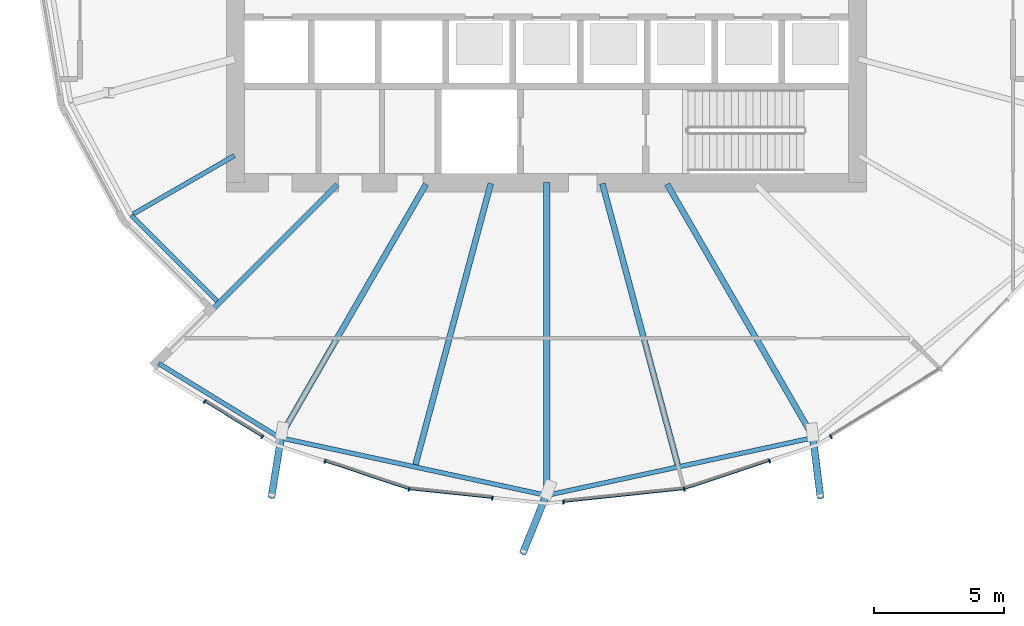
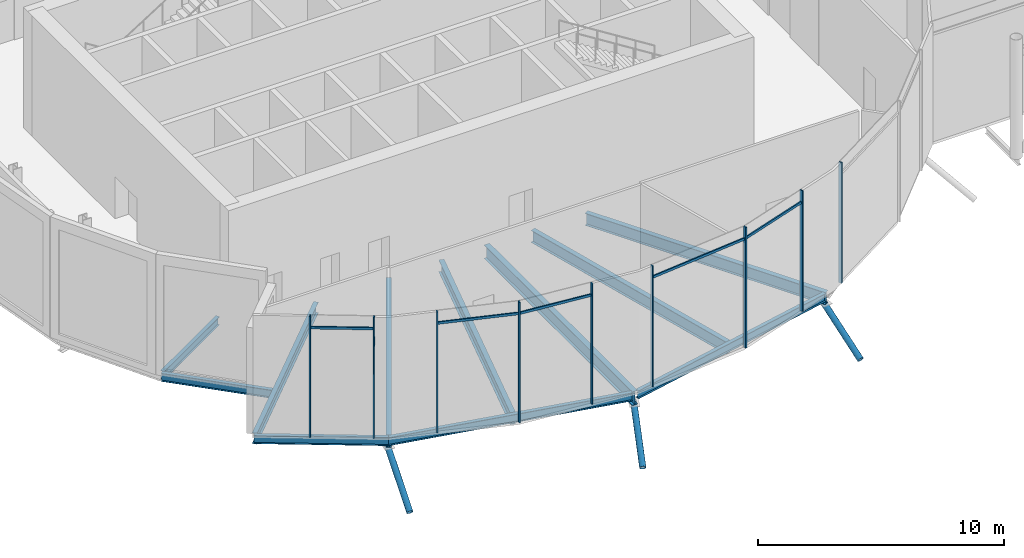
# One storey, part 3 of 38: 17 members, 11 beams, 1 element without a shape of its own.
"""IFC4 building model written with IfcOpenShell, lengths in metres."""

from ifc_helpers import new_model, si_unit, direction, frame, origin, origin_2d, place, context, subcontext, project, spatial, rectangle, hollow_circle, i_section, extrude, clip, halfspace, material, material_profile, profile_set, type_object, element, aggregate, save


model = new_model("IFC4")

# Units and contexts
model_context = context("Model", 3, precision=1e-05, world=origin(), true_north=direction((0.0, 1.0)))
body_context = subcontext(model_context, "Body", "Model", "MODEL_VIEW")
ifc_project = project(units=[si_unit("LENGTHUNIT", "METRE"), si_unit("AREAUNIT", "SQUARE_METRE"), si_unit("VOLUMEUNIT", "CUBIC_METRE"), si_unit("PLANEANGLEUNIT", "RADIAN"), si_unit("MASSUNIT", "GRAM", prefix="KILO")], contexts=[model_context])

# Site, building, storey
site_placement = place(None, origin())
site = spatial("IfcSite", under=ifc_project, at=site_placement, CompositionType="ELEMENT")
building_placement = place(site_placement, origin())
building = spatial("IfcBuilding", under=site, at=building_placement, Name="Rimbun Link Towers", CompositionType="ELEMENT")
storey_placement = place(building_placement, frame((0.0, 0.0, 133.199951171875)))
storey = spatial("IfcBuildingStorey", under=building, at=storey_placement, Name="L32", CompositionType="ELEMENT", Elevation=133.199951171875)

# Curtain wall, members
ifc_material_1 = material(Name="Aluminium 6063-T6 and low-iron glass", Category="aluminium")
curtain_wall_type = type_object("IfcCurtainWallType", Name="CW5 full height lobby wall", PredefinedType="NOTDEFINED", material=ifc_material_1)
curtain_wall_placement = place(storey_placement, origin())
curtain_wall = element("IfcCurtainWall", 1, at=curtain_wall_placement, inside=storey, type_object=curtain_wall_type, Name="CW5 L32 T1", PredefinedType="NOTDEFINED")
ifc_material_2 = material(Name="Aluminium 6063-T6", Category="aluminium")
ifc_material_profile_1 = material_profile(ifc_material_2, rectangle(XDim=0.14990234375, YDim=0.06005859375, at=origin_2d()), Name="MULLION 60X150")
ifc_profile_set_1 = profile_set([ifc_material_profile_1], Name="Aluminium 6063-T6")
member_type_1 = type_object("IfcMemberType", Name="CW5 mullion 60X150", PredefinedType="MULLION", material=ifc_profile_set_1)
member_1_placement = place(storey_placement, frame((-42.72607421875, -17.807373046875, 0.0), z_axis=(0.0, 0.0, 1.0), x_axis=(-0.523225378089, -0.852194346217, 0.0)))
member_1 = element("IfcMember", 2, at=member_1_placement, type_object=member_type_1, Name="CW5 mullion", PredefinedType="MULLION", context=body_context, shape_type="SweptSolid", body=[
    extrude(rectangle(XDim=0.14990234375, YDim=0.06005859375, at=origin_2d()), origin(), (0.0, 0.0, 1.0), 6.0),
])
member_2_placement = place(storey_placement, frame((-44.940673828125, -16.44775390625, 0.0), z_axis=(0.0, 0.0, 1.0), x_axis=(-0.523225378089, -0.852194346217, 0.0)))
member_2 = element("IfcMember", 3, at=member_2_placement, type_object=member_type_1, Name="CW5 mullion", PredefinedType="MULLION", context=body_context, shape_type="SweptSolid", body=[
    extrude(rectangle(XDim=0.14990234375, YDim=0.06005859375, at=origin_2d()), origin(), (0.0, 0.0, 1.0), 6.0),
])
member_3_placement = place(storey_placement, frame((-37.059814453125, -19.831298828125, 0.0), z_axis=(0.0, 0.0, 1.0), x_axis=(-0.210874693144, -0.977513101596, 0.0)))
member_3 = element("IfcMember", 4, at=member_3_placement, type_object=member_type_1, Name="CW5 mullion", PredefinedType="MULLION", context=body_context, shape_type="SweptSolid", body=[
    extrude(rectangle(XDim=0.14990234375, YDim=0.06005859375, at=origin_2d()), origin(), (0.0, 0.0, 1.0), 6.0),
])
member_4_placement = place(storey_placement, frame((-40.300537109375, -18.7578125, 0.0), z_axis=(0.0, 0.0, 1.0), x_axis=(-0.314567961741, -0.949234953763, 0.0)))
member_4 = element("IfcMember", 5, at=member_4_placement, type_object=member_type_1, Name="CW5 mullion", PredefinedType="MULLION", context=body_context, shape_type="SweptSolid", body=[
    extrude(rectangle(XDim=0.14990234375, YDim=0.06005859375, at=origin_2d()), origin(), (0.0, 0.0, 1.0), 6.0),
])
member_5_placement = place(storey_placement, frame((-33.84619140625, -20.170166015625, 0.0), z_axis=(0.0, 0.0, 1.0), x_axis=(-0.104745411125, -0.994499069305, 0.0)))
member_5 = element("IfcMember", 6, at=member_5_placement, type_object=member_type_1, Name="CW5 mullion", PredefinedType="MULLION", context=body_context, shape_type="SweptSolid", body=[
    extrude(rectangle(XDim=0.14990234375, YDim=0.06005859375, at=origin_2d()), origin(), (0.0, 0.0, 1.0), 6.0),
])
member_6_placement = place(storey_placement, frame((-26.440185546875, -19.831298828125, 0.0), z_axis=(0.0, 0.0, 1.0), x_axis=(0.210874693144, -0.977513101596, 0.0)))
member_6 = element("IfcMember", 7, at=member_6_placement, type_object=member_type_1, Name="CW5 mullion", PredefinedType="MULLION", context=body_context, shape_type="SweptSolid", body=[
    extrude(rectangle(XDim=0.14990234375, YDim=0.06005859375, at=origin_2d()), origin(), (0.0, 0.0, 1.0), 6.0),
])
member_7_placement = place(storey_placement, frame((-31.095703125, -20.322021484375, 0.0), z_axis=(0.0, 0.0, 1.0), x_axis=(0.104745411125, -0.994499069305, 0.0)))
member_7 = element("IfcMember", 8, at=member_7_placement, type_object=member_type_1, Name="CW5 mullion", PredefinedType="MULLION", context=body_context, shape_type="SweptSolid", body=[
    extrude(rectangle(XDim=0.14990234375, YDim=0.06005859375, at=origin_2d()), origin(), (0.0, 0.0, 1.0), 6.0),
])
member_8_placement = place(storey_placement, frame((-23.15185546875, -18.7421875, 0.0), z_axis=(0.0, 0.0, 1.0), x_axis=(0.314567961741, -0.949234953763, 0.0)))
member_8 = element("IfcMember", 9, at=member_8_placement, type_object=member_type_1, Name="CW5 mullion", PredefinedType="MULLION", context=body_context, shape_type="SweptSolid", body=[
    extrude(rectangle(XDim=0.14990234375, YDim=0.06005859375, at=origin_2d()), origin(), (0.0, 0.0, 1.0), 6.0),
])
member_9_placement = place(storey_placement, frame((-20.77392578125, -17.807373046875, 0.0), z_axis=(0.0, 0.0, 1.0), x_axis=(0.523225378089, -0.852194346217, 0.0)))
member_9 = element("IfcMember", 10, at=member_9_placement, type_object=member_type_1, Name="CW5 mullion", PredefinedType="MULLION", context=body_context, shape_type="SweptSolid", body=[
    extrude(rectangle(XDim=0.14990234375, YDim=0.06005859375, at=origin_2d()), origin(), (0.0, 0.0, 1.0), 6.0),
])
ifc_material_3 = material(Name="Aluminium 6063-T6", Category="aluminium")
ifc_material_profile_2 = material_profile(ifc_material_3, rectangle(XDim=0.06005859375, YDim=0.1201171875, at=origin_2d()), Name="TRANSOM 60X120")
ifc_profile_set_2 = profile_set([ifc_material_profile_2], Name="Aluminium 6063-T6")
member_type_2 = type_object("IfcMemberType", Name="CW5 transom 60X120", PredefinedType="USERDEFINED", material=ifc_profile_set_2)
member_10_placement = place(storey_placement, frame((-42.744873046875, -17.78076171875, 5.400146484375), z_axis=(-0.852196050018, 0.523222603041, 0.0), x_axis=(-0.523222603041, -0.852196050018, 0.0)))
member_10 = element("IfcMember", 11, at=member_10_placement, type_object=member_type_2, Name="CW5 transom", ObjectType="TRANSOM", PredefinedType="USERDEFINED", context=body_context, shape_type="SweptSolid", body=[
    extrude(rectangle(XDim=0.06005859375, YDim=0.1201171875, at=origin_2d()), origin(), (0.0, 0.0, 1.0), 2.538818359375),
])
member_11_placement = place(storey_placement, frame((-37.092041015625, -19.807373046875, 5.400146484375), z_axis=(-0.949236393582, 0.314563616937, 0.0), x_axis=(-0.314563616937, -0.949236393582, 0.0)))
member_11 = element("IfcMember", 12, at=member_11_placement, type_object=member_type_2, Name="CW5 transom", ObjectType="TRANSOM", PredefinedType="USERDEFINED", context=body_context, shape_type="SweptSolid", body=[
    extrude(rectangle(XDim=0.06005859375, YDim=0.1201171875, at=origin_2d()), origin(), (0.0, 0.0, 1.0), 3.345947265625),
])
member_12_placement = place(storey_placement, frame((-33.874755859375, -20.154052734375, 5.400146484375), z_axis=(-0.994500800185, 0.104728976086, 0.0), x_axis=(-0.104728976086, -0.994500800185, 0.0)))
member_12 = element("IfcMember", 13, at=member_12_placement, type_object=member_type_2, Name="CW5 transom", ObjectType="TRANSOM", PredefinedType="USERDEFINED", context=body_context, shape_type="SweptSolid", body=[
    extrude(rectangle(XDim=0.06005859375, YDim=0.1201171875, at=origin_2d()), origin(), (0.0, 0.0, 1.0), 3.163330078125),
])
member_13_placement = place(storey_placement, frame((-26.479248046875, -19.82275390625, 5.400146484375), z_axis=(-0.994495008728, -0.104783956858, 0.0), x_axis=(0.104783956858, -0.994495008728, 0.0)))
member_13 = element("IfcMember", 14, at=member_13_placement, type_object=member_type_2, Name="CW5 transom", ObjectType="TRANSOM", PredefinedType="USERDEFINED", context=body_context, shape_type="SweptSolid", body=[
    extrude(rectangle(XDim=0.06005859375, YDim=0.1201171875, at=origin_2d()), origin(), (0.0, 0.0, 1.0), 4.61328125),
])
member_14_placement = place(storey_placement, frame((-23.1845703125, -18.7392578125, 5.400146484375), z_axis=(-0.949242594948, -0.314544902893, 0.0), x_axis=(0.314544902893, -0.949242594948, 0.0)))
member_14 = element("IfcMember", 15, at=member_14_placement, type_object=member_type_2, Name="CW5 transom", ObjectType="TRANSOM", PredefinedType="USERDEFINED", context=body_context, shape_type="SweptSolid", body=[
    extrude(rectangle(XDim=0.06005859375, YDim=0.1201171875, at=origin_2d()), origin(), (0.0, 0.0, 1.0), 3.395751953125),
])
aggregate(curtain_wall, [member_1, member_2, member_3, member_4, member_5, member_6, member_7, member_8, member_9, member_10, member_11, member_12, member_13, member_14])

# Members
ifc_material_4 = material(Name="Steel S355J2H", Category="steel")
ifc_material_profile_3 = material_profile(ifc_material_4, hollow_circle(Radius=0.136474609375, WallThickness=0.012451171875, at=origin_2d()), Name="CHS 273x12.5")
ifc_profile_set_3 = profile_set([ifc_material_profile_3], Name="Steel S355J2H")
member_type_3 = type_object("IfcMemberType", Name="Floor edge link CHS 273x12.5", PredefinedType="BRACE", material=ifc_profile_set_3)
member_15_placement = place(storey_placement, frame((-41.977783203125, -17.715087890625, -0.8974609375), z_axis=(-0.133569904183, -0.832022149977, -0.538421974518), x_axis=(0.987357861261, -0.15850695192, 0.0)))
element("IfcMember", 16, at=member_15_placement, inside=storey, type_object=member_type_3, Name="Floor edge link T1 L32 16", PredefinedType="BRACE", context=body_context, shape_type="Clipping", body=[
    clip(extrude(hollow_circle(Radius=0.136474609375, WallThickness=0.012451171875, at=origin_2d()), frame((0.0, 0.0, -0.44580078125)), (0.0, 0.0, 1.0), 3.333740234375), halfspace(frame((0.0, 0.0, -0.209716796875), z_axis=(0.0, 0.842675368903, -0.538421974518)), False)),
])
member_16_placement = place(storey_placement, frame((-31.75, -20.01416015625, -0.98291015625), z_axis=(-0.326716163123, -0.812891542358, -0.482145091355), x_axis=(0.927861588857, -0.372924753702, 0.0)))
element("IfcMember", 17, at=member_16_placement, inside=storey, type_object=member_type_3, Name="Floor edge link T1 L32 18", PredefinedType="BRACE", context=body_context, shape_type="Clipping", body=[
    clip(extrude(hollow_circle(Radius=0.136474609375, WallThickness=0.012451171875, at=origin_2d()), frame((0.0, 0.0, -0.516845703125)), (0.0, 0.0, 1.0), 3.30322265625), halfspace(frame((0.0, 0.0, -0.24365234375), z_axis=(0.0, 0.876091382723, -0.482145091355)), False)),
])
member_17_placement = place(storey_placement, frame((-21.47705078125, -17.793212890625, -0.900146484375), z_axis=(0.107708067063, -0.857638902766, -0.502846382857), x_axis=(0.992206060806, 0.12460791668, 0.0)))
element("IfcMember", 18, at=member_17_placement, inside=storey, type_object=member_type_3, Name="Floor edge link T1 L32 20", PredefinedType="BRACE", context=body_context, shape_type="Clipping", body=[
    clip(extrude(hollow_circle(Radius=0.136474609375, WallThickness=0.012451171875, at=origin_2d()), frame((0.0, 0.0, -0.4892578125)), (0.0, 0.0, 1.0), 3.21826171875), halfspace(frame((0.0, 0.0, -0.22998046875), z_axis=(0.0, 0.864375795154, -0.502846382857)), False)),
])

# Beams
ifc_material_5 = material(Name="Steel S355J2", Category="steel")
ifc_material_profile_4 = material_profile(ifc_material_5, i_section(OverallWidth=0.177978515625, OverallDepth=0.406494140625, WebThickness=0.0078125, FlangeThickness=0.0126953125, at=origin_2d()), Name="UB 406x178x60")
ifc_profile_set_4 = profile_set([ifc_material_profile_4], Name="Steel S355J2")
beam_type_1 = type_object("IfcBeamType", Name="UB 406x178x60", PredefinedType="BEAM", material=ifc_profile_set_4)
beam_1_placement = place(storey_placement, frame((-43.79541015625, -6.954345703125, -0.383056640625), z_axis=(-0.86601319904, -0.500021138641, 0.0), x_axis=(0.500021138641, -0.86601319904, 0.0)))
element("IfcBeam", 19, at=beam_1_placement, inside=storey, type_object=beam_type_1, Name="Radial beam T1 L32 14", PredefinedType="BEAM", context=body_context, shape_type="SweptSolid", body=[
    extrude(i_section(OverallWidth=0.177978515625, OverallDepth=0.406494140625, WebThickness=0.0078125, FlangeThickness=0.0126953125, at=origin_2d()), origin(), (0.0, 0.0, 1.0), 4.504638671875),
])
beam_2_placement = place(storey_placement, frame((-47.764892578125, -9.261962890625, -0.383056640625), z_axis=(0.707159064582, -0.707054493925, 0.0), x_axis=(0.707054493925, 0.707159064582, 0.0)))
element("IfcBeam", 20, at=beam_2_placement, inside=storey, type_object=beam_type_1, Name="Edge beam T1 L32 14 recess", PredefinedType="BEAM", context=body_context, shape_type="SweptSolid", body=[
    extrude(i_section(OverallWidth=0.177978515625, OverallDepth=0.406494140625, WebThickness=0.0078125, FlangeThickness=0.0126953125, at=origin_2d()), origin(), (0.0, 0.0, 1.0), 4.66943359375),
])
beam_3_placement = place(storey_placement, frame((-46.7216796875, -14.972900390625, -0.383056640625), z_axis=(0.85269215505, -0.522413714135, 0.0), x_axis=(0.522413714135, 0.85269215505, 0.0)))
element("IfcBeam", 21, at=beam_3_placement, inside=storey, type_object=beam_type_1, Name="Edge beam T1 L32 15", PredefinedType="BEAM", context=body_context, shape_type="SweptSolid", body=[
    extrude(i_section(OverallWidth=0.177978515625, OverallDepth=0.406494140625, WebThickness=0.0078125, FlangeThickness=0.0126953125, at=origin_2d()), origin(), (0.0, 0.0, 1.0), 5.48046875),
])
beam_4_placement = place(storey_placement, frame((-42.046875, -17.836669921875, -0.383056640625), z_axis=(0.977390186472, -0.211443664809, 0.0), x_axis=(0.211443664809, 0.977390186472, 0.0)))
element("IfcBeam", 22, at=beam_4_placement, inside=storey, type_object=beam_type_1, Name="Edge beam T1 L32 16-18", PredefinedType="BEAM", context=body_context, shape_type="SweptSolid", body=[
    extrude(i_section(OverallWidth=0.177978515625, OverallDepth=0.406494140625, WebThickness=0.0078125, FlangeThickness=0.0126953125, at=origin_2d()), origin(), (0.0, 0.0, 1.0), 10.404541015625),
])
beam_5_placement = place(storey_placement, frame((-31.622314453125, -20.03662109375, -0.383056640625), z_axis=(0.977388184386, 0.211452919162, 0.0), x_axis=(-0.211452919162, 0.977388184386, 0.0)))
element("IfcBeam", 23, at=beam_5_placement, inside=storey, type_object=beam_type_1, Name="Edge beam T1 L32 18-20", PredefinedType="BEAM", context=body_context, shape_type="SweptSolid", body=[
    extrude(i_section(OverallWidth=0.177978515625, OverallDepth=0.406494140625, WebThickness=0.0078125, FlangeThickness=0.0126953125, at=origin_2d()), origin(), (0.0, 0.0, 1.0), 10.28515625),
])
ifc_material_6 = material(Name="Steel S355J2", Category="steel")
ifc_material_profile_5 = material_profile(ifc_material_6, i_section(OverallWidth=0.209228515625, OverallDepth=0.533203125, WebThickness=0.010009765625, FlangeThickness=0.015625, at=origin_2d()), Name="UB 533x210x92")
ifc_profile_set_5 = profile_set([ifc_material_profile_5], Name="Steel S355J2")
beam_type_2 = type_object("IfcBeamType", Name="UB 533x210x92", PredefinedType="BEAM", material=ifc_profile_set_5)
beam_6_placement = place(storey_placement, frame((-39.82470703125, -8.07470703125, -0.446533203125), z_axis=(-0.707106781187, -0.707106781187, 0.0), x_axis=(0.707106781187, -0.707106781187, 0.0)))
element("IfcBeam", 24, at=beam_6_placement, inside=storey, type_object=beam_type_2, Name="Radial beam T1 L32 15", PredefinedType="BEAM", context=body_context, shape_type="SweptSolid", body=[
    extrude(i_section(OverallWidth=0.209228515625, OverallDepth=0.533203125, WebThickness=0.010009765625, FlangeThickness=0.015625, at=origin_2d()), origin(), (0.0, 0.0, 1.0), 9.662353515625),
])
ifc_material_7 = material(Name="Steel S355J2", Category="steel")
ifc_material_profile_6 = material_profile(ifc_material_7, i_section(OverallWidth=0.2275390625, OverallDepth=0.6025390625, WebThickness=0.010498046875, FlangeThickness=0.014892578125, at=origin_2d()), Name="UB 610x229x101")
ifc_profile_set_6 = profile_set([ifc_material_profile_6], Name="Steel S355J2")
beam_type_3 = type_object("IfcBeamType", Name="UB 610x229x101", PredefinedType="BEAM", material=ifc_profile_set_6)
beam_7_placement = place(storey_placement, frame((-36.402099609375, -8.057861328125, -0.481201171875), z_axis=(-0.500009226048, -0.866020077058, 0.0), x_axis=(0.866020077058, -0.500009226048, 0.0)))
element("IfcBeam", 25, at=beam_7_placement, inside=storey, type_object=beam_type_3, Name="Radial beam T1 L32 16", PredefinedType="BEAM", context=body_context, shape_type="SweptSolid", body=[
    extrude(i_section(OverallWidth=0.2275390625, OverallDepth=0.6025390625, WebThickness=0.010498046875, FlangeThickness=0.014892578125, at=origin_2d()), origin(), (0.0, 0.0, 1.0), 11.201416015625),
])
for number, where, z_axis, x_axis, name in (
    (26, (-33.901611328125, -8.030517578125, -0.481201171875), (-0.258834246174, -0.965921753046, 0.0), (0.965921753046, -0.258834246174, 0.0), "Radial beam T1 L32 17"),
    (27, (-29.598388671875, -8.030517578125, -0.481201171875), (0.258834246174, -0.965921753046, 0.0), (0.965921753046, 0.258834246174, 0.0), "Radial beam T1 L32 19"),
):
    element("IfcBeam", number, at=place(storey_placement, frame(where, z_axis=z_axis, x_axis=x_axis)), inside=storey, type_object=beam_type_3, Name=name, PredefinedType="BEAM", context=body_context, shape_type="SweptSolid", body=[
        extrude(i_section(OverallWidth=0.2275390625, OverallDepth=0.6025390625, WebThickness=0.010498046875, FlangeThickness=0.014892578125, at=origin_2d()), origin(), (0.0, 0.0, 1.0), 11.230224609375),
    ])
beam_8_placement = place(storey_placement, frame((-27.097900390625, -8.057861328125, -0.481201171875), z_axis=(0.500006319009, -0.866021755472, 0.0), x_axis=(0.866021755472, 0.500006319009, 0.0)))
element("IfcBeam", 28, at=beam_8_placement, inside=storey, type_object=beam_type_3, Name="Radial beam T1 L32 20", PredefinedType="BEAM", context=body_context, shape_type="SweptSolid", body=[
    extrude(i_section(OverallWidth=0.2275390625, OverallDepth=0.6025390625, WebThickness=0.010498046875, FlangeThickness=0.014892578125, at=origin_2d()), origin(), (0.0, 0.0, 1.0), 11.291259765625),
])
ifc_material_8 = material(Name="Steel S355J2", Category="steel")
ifc_material_profile_7 = material_profile(ifc_material_8, i_section(OverallWidth=0.253662109375, OverallDepth=0.68359375, WebThickness=0.012451171875, FlangeThickness=0.01904296875, at=origin_2d()), Name="UB 686x254x140")
ifc_profile_set_7 = profile_set([ifc_material_profile_7], Name="Steel S355J2")
beam_type_4 = type_object("IfcBeamType", Name="UB 686x254x140", PredefinedType="BEAM", material=ifc_profile_set_7)
beam_9_placement = place(storey_placement, frame((-31.75, -8.0009765625, -0.521728515625), z_axis=(0.0, -1.0, 0.0), x_axis=(1.0, 0.0, 0.0)))
element("IfcBeam", 29, at=beam_9_placement, inside=storey, type_object=beam_type_4, Name="Radial beam T1 L32 18", PredefinedType="BEAM", context=body_context, shape_type="SweptSolid", body=[
    extrude(i_section(OverallWidth=0.253662109375, OverallDepth=0.68359375, WebThickness=0.012451171875, FlangeThickness=0.01904296875, at=origin_2d()), origin(), (0.0, 0.0, 1.0), 12.063232421875),
])

save(model, "model.ifc")
